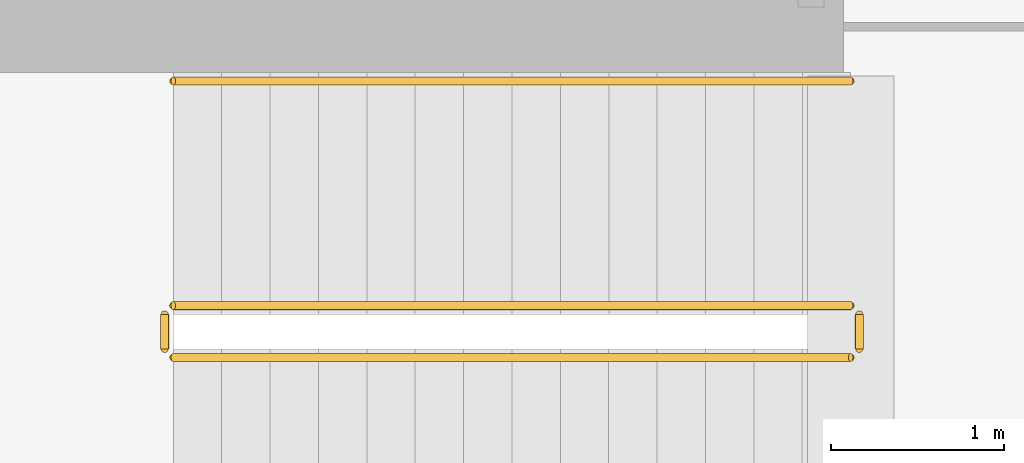
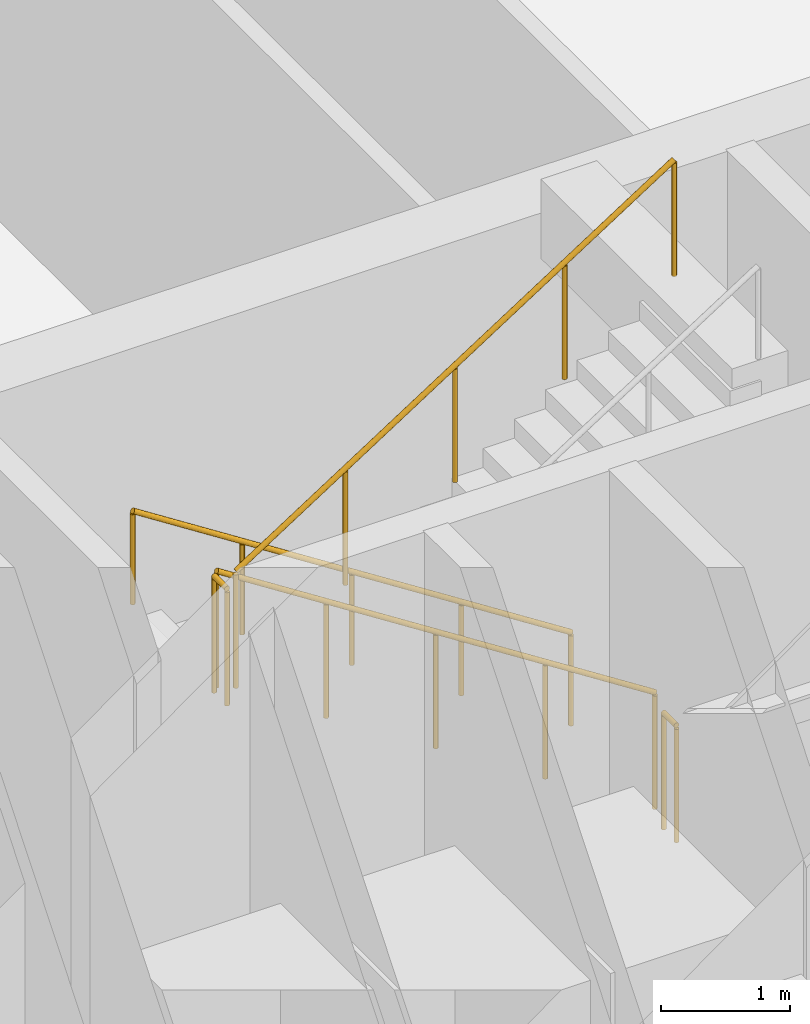
# One storey, part 18 of 20: 5 railings.
"""IFC4 building model written with IfcOpenShell, lengths in metres."""

import ifcopenshell
import ifcopenshell.guid

model = None  # the IFC model being written
_history = None  # IfcOwnerHistory: only IFC2X3 demands one
_inside = {}  # id of a spatial element -> (the spatial element, [elements in it])
_under = {}  # id of a project, library or spatial element -> (it, [spatial elements below it])
_declared = {}  # id of a project -> (the project, [libraries it declares])
_typed = {}  # id of a type object -> (the type object, [elements of that type])
_made_of = {}  # id of a material, layer set ... -> (it, [elements and type objects made of it])


def new_model(schema):
    """Start an empty IFC model of exactly this schema.

    Asked for "IFC4X3", IfcOpenShell would pick the latest addendum, in which some entities
    have other attributes; the version numbers below select the first issue.
    IFC2X3 requires an IfcOwnerHistory on every rooted entity: one is made here for all.
    """
    global model, _history
    if schema == "IFC4X3":
        model = ifcopenshell.file(schema_version=(4, 3, 0, 0))
    else:
        model = ifcopenshell.file(schema=schema)
    _inside.clear()
    _under.clear()
    _declared.clear()
    _typed.clear()
    _made_of.clear()
    _history = None
    if model.schema == "IFC2X3":
        org = make("IfcOrganization", Name="unknown")
        user = make(
            "IfcPersonAndOrganization",
            ThePerson=make("IfcPerson", FamilyName="unknown"),
            TheOrganization=org,
        )
        app = make(
            "IfcApplication",
            ApplicationDeveloper=org,
            Version="unknown",
            ApplicationFullName="unknown",
            ApplicationIdentifier="unknown",
        )
        _history = make(
            "IfcOwnerHistory",
            OwningUser=user,
            OwningApplication=app,
            ChangeAction="ADDED",
            CreationDate=0,
        )
    return model


def make(cls, **values):
    """One entity of the class cls with the attributes given. An attribute that is None is left unset."""
    return model.create_entity(
        cls, **{name: value for name, value in values.items() if value is not None}
    )


def rooted(cls, **values):
    """An entity with a GlobalId (a new one), such as an element, a storey or a relation."""
    return make(cls, GlobalId=ifcopenshell.guid.new(), OwnerHistory=_history, **values)


def si_unit(unit_type, name, prefix=None):
    """IfcSIUnit, for example si_unit("LENGTHUNIT", "METRE", prefix="MILLI")."""
    return make("IfcSIUnit", UnitType=unit_type, Prefix=prefix, Name=name)


def assignment(units):
    """IfcUnitAssignment: the units of a project."""
    return None if units is None else make("IfcUnitAssignment", Units=units)


def point(xyz):
    """IfcCartesianPoint."""
    return None if xyz is None else make("IfcCartesianPoint", Coordinates=xyz)


def direction(xyz):
    """IfcDirection."""
    return None if xyz is None else make("IfcDirection", DirectionRatios=xyz)


def frame(location, z_axis=None, x_axis=None):
    """IfcAxis2Placement3D, a coordinate frame: its origin and axes. An axis left out is left unset."""
    return make(
        "IfcAxis2Placement3D",
        Location=point(location),
        Axis=direction(z_axis),
        RefDirection=direction(x_axis),
    )


def frame_2d(location, x_axis=None):
    """IfcAxis2Placement2D, a coordinate frame in the plane: its origin and x axis."""
    return make(
        "IfcAxis2Placement2D", Location=point(location), RefDirection=direction(x_axis)
    )


def origin():
    """The frame at (0, 0, 0) with its axes left unset."""
    return frame((0.0, 0.0, 0.0))


def origin_2d():
    """The frame at (0, 0) in the plane with its x axis left unset."""
    return frame_2d((0.0, 0.0))


def place(relative_to, where):
    """IfcLocalPlacement: puts the frame where relative to a parent placement (None: the world)."""
    return make(
        "IfcLocalPlacement", PlacementRelTo=relative_to, RelativePlacement=where
    )


def context(
    kind, dimensions, precision=None, world=None, true_north=None, identifier=None
):
    """IfcGeometricRepresentationContext, for example the 3D "Model" context."""
    return make(
        "IfcGeometricRepresentationContext",
        ContextIdentifier=identifier,
        ContextType=kind,
        CoordinateSpaceDimension=dimensions,
        Precision=precision,
        WorldCoordinateSystem=world,
        TrueNorth=true_north,
    )


def subcontext(parent, identifier, kind, view, scale=None):
    """IfcGeometricRepresentationSubContext, for example "Body" below "Model"."""
    return make(
        "IfcGeometricRepresentationSubContext",
        ContextIdentifier=identifier,
        ContextType=kind,
        ParentContext=parent,
        TargetScale=scale,
        TargetView=view,
    )


def project(units=None, contexts=None):
    """IfcProject with its units and contexts."""
    return rooted(
        "IfcProject",
        Name="project",
        RepresentationContexts=contexts,
        UnitsInContext=assignment(units),
    )


def spatial(cls, under=None, at=None, **own):
    """A site, building, storey or space (cls), placed at a placement, below another one or the project."""
    s = rooted(cls, ObjectPlacement=at, **own)
    if under is not None:
        _under.setdefault(under.id(), (under, []))[1].append(s)
    return s


def profile(cls, at=None, kind="AREA", **sizes):
    """A parametric profile (cls). Its sizes go by their IFC names, for example OverallWidth=200.0."""
    return make(cls, ProfileType=kind, Position=at, **sizes)


def circle(**sizes):
    """IfcCircleProfileDef."""
    return profile("IfcCircleProfileDef", **sizes)


def extrude(swept, where, along, depth):
    """IfcExtrudedAreaSolid: the profile swept, set in the frame where, extruded along a direction by depth."""
    return make(
        "IfcExtrudedAreaSolid",
        SweptArea=swept,
        Position=where,
        ExtrudedDirection=direction(along),
        Depth=depth,
    )


def shape(context_of_items, identifier, shape_type, items):
    """IfcShapeRepresentation: the items that make up one representation, for example the "Body"."""
    return make(
        "IfcShapeRepresentation",
        ContextOfItems=context_of_items,
        RepresentationIdentifier=identifier,
        RepresentationType=shape_type,
        Items=items,
    )


def material(Name=None, Category=None):
    """IfcMaterial."""
    return make("IfcMaterial", Name=Name, Category=Category)


def made_of(thing, what):
    """Note that an element or type object is made of a material, layer set ...; save() writes the relation."""
    if what is not None:
        _made_of.setdefault(what.id(), (what, []))[1].append(thing)
    return thing


def type_object(cls, material=None, **own):
    """A type object (cls), such as IfcWallType, which elements share."""
    return made_of(rooted(cls, **own), material)


def element(
    cls,
    number,
    at=None,
    inside=None,
    cuts=None,
    type_object=None,
    material=None,
    context=None,
    identifier="Body",
    shape_type=None,
    held_by="IfcProductDefinitionShape",
    body=None,
    shapes=None,
    **own,
):
    """One element of the class cls, such as IfcWall. Its Tag is "e" and its number.

    at: its placement. inside: the storey or other place that contains it. cuts: it is an
    opening in that element (IfcRelVoidsElement). A single representation is given by context,
    identifier, shape_type and body (its items); several are given by shapes. held_by: the class
    of the entity that holds the representations. save() writes the other relations.
    """
    e = rooted(cls, Tag="e%d" % number, ObjectPlacement=at, **own)
    if body is not None:
        shapes = [shape(context, identifier, shape_type, body)]
    if shapes is not None:
        e.Representation = make(held_by, Representations=shapes)
    if inside is not None:
        _inside.setdefault(inside.id(), (inside, []))[1].append(e)
    if cuts is not None:
        rooted(
            "IfcRelVoidsElement", RelatingBuildingElement=cuts, RelatedOpeningElement=e
        )
    if type_object is not None:
        _typed.setdefault(type_object.id(), (type_object, []))[1].append(e)
    return made_of(e, material)


def aggregate(whole, parts):
    """IfcRelAggregates: a whole, such as a stair, and the parts it consists of."""
    return rooted("IfcRelAggregates", RelatingObject=whole, RelatedObjects=parts)


def save(model, path):
    """Write the relations noted so far, then the file.

    IfcRelAggregates (storeys below a building ...), IfcRelContainedInSpatialStructure (elements
    in a storey), IfcRelDefinesByType, IfcRelAssociatesMaterial and IfcRelDeclares: one each for
    every whole, place, type object, material and project.
    """
    for whole, parts in _under.values():
        aggregate(whole, parts)
    for where, things in _inside.values():
        rooted(
            "IfcRelContainedInSpatialStructure",
            RelatedElements=things,
            RelatingStructure=where,
        )
    for kind, things in _typed.values():
        rooted("IfcRelDefinesByType", RelatedObjects=things, RelatingType=kind)
    for what, things in _made_of.values():
        rooted("IfcRelAssociatesMaterial", RelatedObjects=things, RelatingMaterial=what)
    for by, libraries in _declared.values():
        rooted("IfcRelDeclares", RelatingContext=by, RelatedDefinitions=libraries)
    model.write(path)


model = new_model("IFC4")

# Units and contexts
model_context = context("Model", 3, precision=1e-05, world=origin(), true_north=direction((0.0, 1.0)))
body_context = subcontext(model_context, "Body", "Model", "MODEL_VIEW")
ifc_project = project(units=[si_unit("LENGTHUNIT", "METRE"), si_unit("AREAUNIT", "SQUARE_METRE"), si_unit("VOLUMEUNIT", "CUBIC_METRE"), si_unit("PLANEANGLEUNIT", "RADIAN"), si_unit("MASSUNIT", "GRAM", prefix="KILO")], contexts=[model_context])

# Site, building, storey
site_placement = place(None, origin())
site = spatial("IfcSite", under=ifc_project, at=site_placement, CompositionType="ELEMENT")
building_placement = place(site_placement, origin())
building = spatial("IfcBuilding", under=site, at=building_placement, Name="Solmarez Civic Tower", CompositionType="ELEMENT")
storey_placement = place(building_placement, origin())
storey = spatial("IfcBuildingStorey", under=building, at=storey_placement, Name="L00", CompositionType="ELEMENT", Elevation=0.0)

# Railings
ifc_material_1 = material(Name="Painted Steel Stairwell Safety Guard", Category="steel")
railing_type_1 = type_object("IfcRailingType", Name="GUARD-STAIR-1120", PredefinedType="BALUSTRADE", material=ifc_material_1)
railing_1_placement = place(storey_placement, frame((-1.449951171875, 6.969970703125, 0.179931640625)))
element("IfcRailing", 1, at=railing_1_placement, inside=storey, type_object=railing_type_1, Name="L00 ST-1 stair guard 1", PredefinedType="BALUSTRADE", context=body_context, shape_type="SweptSolid", body=[
    extrude(circle(Radius=0.02392578125, at=origin_2d()), frame((0.0, 0.0, 1.09619140625), z_axis=(-0.841186985886, 0.0, 0.540744352514), x_axis=(0.0, -1.0, 0.0)), (0.0, 0.0, 1.0), 4.660400390625),
    extrude(circle(Radius=0.02099609375, at=origin_2d()), origin(), (0.0, 0.0, 1.0), 1.072021484375),
    extrude(circle(Radius=0.02099609375, at=origin_2d()), frame((-0.97998046875, 0.0, 0.6298828125)), (0.0, 0.0, 1.0), 1.072021484375),
    extrude(circle(Radius=0.02099609375, at=origin_2d()), frame((-1.9599609375, 0.0, 1.260009765625)), (0.0, 0.0, 1.0), 1.072021484375),
    extrude(circle(Radius=0.02099609375, at=origin_2d()), frame((-2.940185546875, 0.0, 1.89013671875)), (0.0, 0.0, 1.0), 1.072021484375),
    extrude(circle(Radius=0.02099609375, at=origin_2d()), frame((-3.920166015625, 0.0, 2.52001953125)), (0.0, 0.0, 1.0), 1.072021484375),
])
railing_2_placement = place(storey_placement, frame((-5.419921875, 6.919921875, 2.699951171875)))
element("IfcRailing", 2, at=railing_2_placement, inside=storey, type_object=railing_type_1, Name="L00 ST-1 stair guard 2", PredefinedType="BALUSTRADE", context=body_context, shape_type="SweptSolid", body=[
    extrude(circle(Radius=0.02392578125, at=origin_2d()), frame((0.0, 0.0, 1.09619140625), z_axis=(0.0, -1.0, 0.0), x_axis=(1.0, 0.0, 0.0)), (0.0, 0.0, 1.0), 0.199951171875),
    extrude(circle(Radius=0.02099609375, at=origin_2d()), origin(), (0.0, 0.0, 1.0), 1.072021484375),
    extrude(circle(Radius=0.02099609375, at=origin_2d()), frame((0.0, -0.199951171875, 0.0)), (0.0, 0.0, 1.0), 1.072021484375),
])
railing_3_placement = place(storey_placement, frame((-5.3701171875, 6.669921875, 2.8798828125)))
element("IfcRailing", 3, at=railing_3_placement, inside=storey, type_object=railing_type_1, Name="L00 ST-1 stair guard 3", PredefinedType="BALUSTRADE", context=body_context, shape_type="SweptSolid", body=[
    extrude(circle(Radius=0.02392578125, at=origin_2d()), frame((0.0, 0.0, 1.09619140625), z_axis=(0.841186985886, 0.0, 0.540744352514), x_axis=(0.0, 1.0, 0.0)), (0.0, 0.0, 1.0), 4.660400390625),
    extrude(circle(Radius=0.02099609375, at=origin_2d()), origin(), (0.0, 0.0, 1.0), 1.072021484375),
    extrude(circle(Radius=0.02099609375, at=origin_2d()), frame((0.97998046875, 0.0, 0.6298828125)), (0.0, 0.0, 1.0), 1.072021484375),
    extrude(circle(Radius=0.02099609375, at=origin_2d()), frame((1.9599609375, 0.0, 1.260009765625)), (0.0, 0.0, 1.0), 1.072021484375),
    extrude(circle(Radius=0.02099609375, at=origin_2d()), frame((2.940185546875, 0.0, 1.89013671875)), (0.0, 0.0, 1.0), 1.072021484375),
    extrude(circle(Radius=0.02099609375, at=origin_2d()), frame((3.920166015625, 0.0, 2.52001953125)), (0.0, 0.0, 1.0), 1.072021484375),
])
railing_4_placement = place(storey_placement, frame((-1.39990234375, 6.919921875, 0.0)))
element("IfcRailing", 4, at=railing_4_placement, inside=storey, type_object=railing_type_1, Name="L00 ST-1 stair guard 4", PredefinedType="BALUSTRADE", context=body_context, shape_type="SweptSolid", body=[
    extrude(circle(Radius=0.02392578125, at=origin_2d()), frame((0.0, 0.0, 1.09619140625), z_axis=(0.0, -1.0, 0.0), x_axis=(1.0, 0.0, 0.0)), (0.0, 0.0, 1.0), 0.199951171875),
    extrude(circle(Radius=0.02099609375, at=origin_2d()), origin(), (0.0, 0.0, 1.0), 1.072021484375),
    extrude(circle(Radius=0.02099609375, at=origin_2d()), frame((0.0, -0.199951171875, 0.0)), (0.0, 0.0, 1.0), 1.072021484375),
])
ifc_material_2 = material(Name="Brushed Stainless Steel Tube Handrail", Category="steel")
railing_type_2 = type_object("IfcRailingType", Name="HANDRAIL-STAIR-900", PredefinedType="HANDRAIL", material=ifc_material_2)
railing_5_placement = place(storey_placement, frame((-1.449951171875, 8.27001953125, 0.179931640625)))
element("IfcRailing", 5, at=railing_5_placement, inside=storey, type_object=railing_type_2, Name="L00 ST-1 stair handrail 1", PredefinedType="HANDRAIL", context=body_context, shape_type="SweptSolid", body=[
    extrude(circle(Radius=0.02392578125, at=origin_2d()), frame((0.0, 0.0, 0.8759765625), z_axis=(-0.841186985886, 0.0, 0.540744352514), x_axis=(0.0, -1.0, 0.0)), (0.0, 0.0, 1.0), 4.660400390625),
    extrude(circle(Radius=0.02099609375, at=origin_2d()), origin(), (0.0, 0.0, 1.0), 0.851806640625),
    extrude(circle(Radius=0.02099609375, at=origin_2d()), frame((-0.97998046875, 0.0, 0.6298828125)), (0.0, 0.0, 1.0), 0.851806640625),
    extrude(circle(Radius=0.02099609375, at=origin_2d()), frame((-1.9599609375, 0.0, 1.260009765625)), (0.0, 0.0, 1.0), 0.851806640625),
    extrude(circle(Radius=0.02099609375, at=origin_2d()), frame((-2.940185546875, 0.0, 1.89013671875)), (0.0, 0.0, 1.0), 0.851806640625),
    extrude(circle(Radius=0.02099609375, at=origin_2d()), frame((-3.920166015625, 0.0, 2.52001953125)), (0.0, 0.0, 1.0), 0.851806640625),
])

save(model, "model.ifc")
